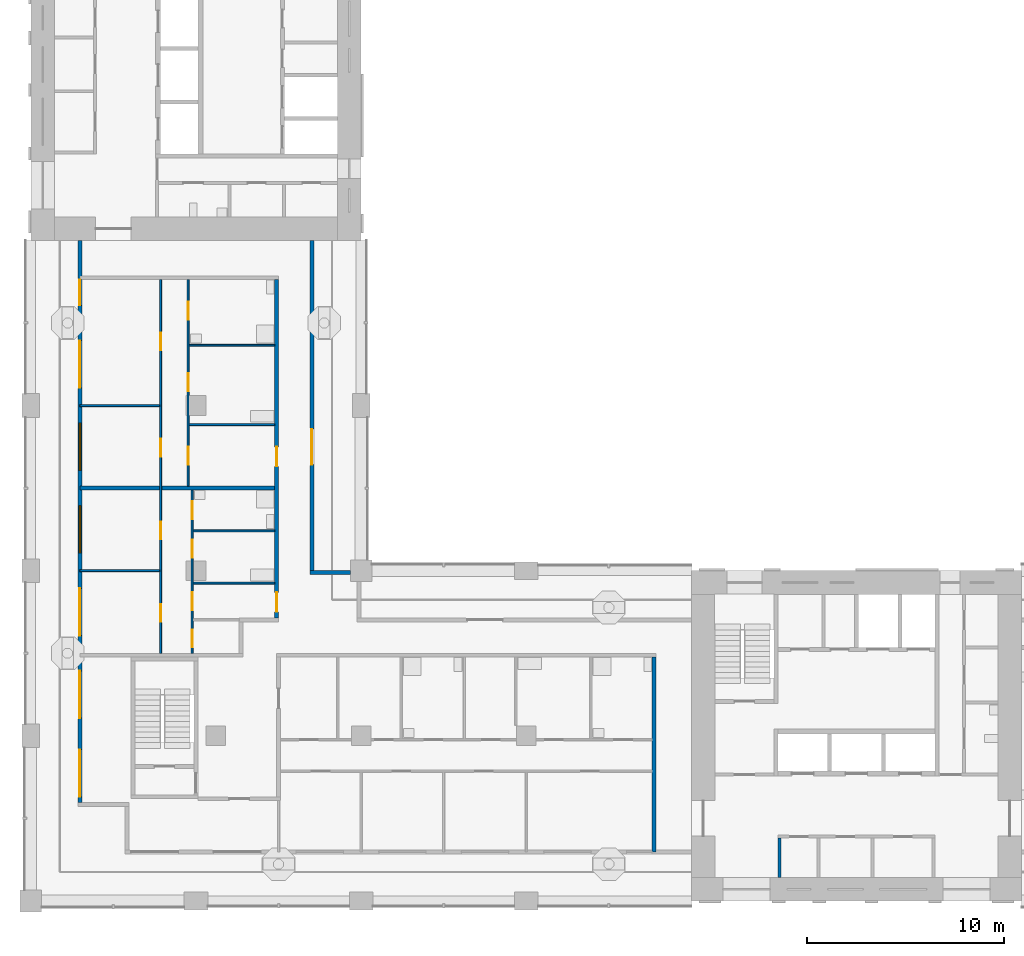
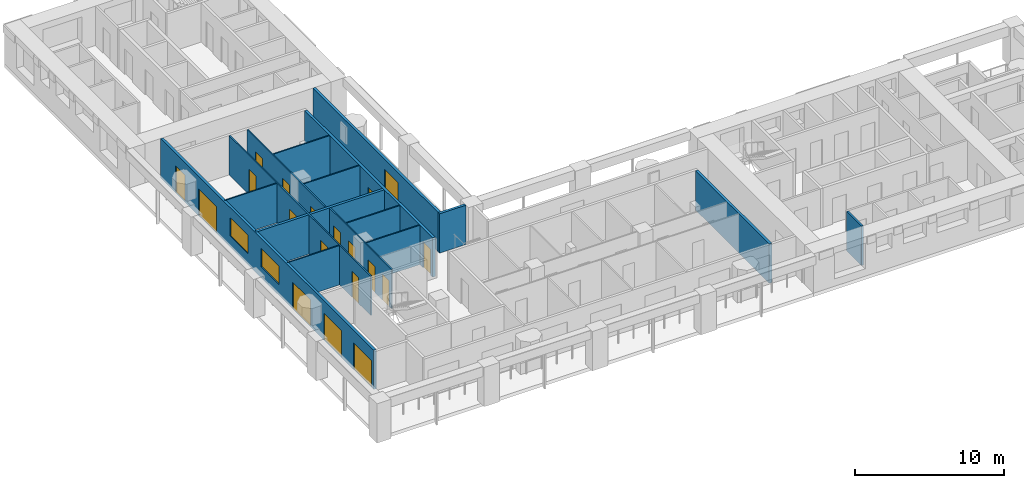
# One storey, part 3 of 13: 19 doors, 16 walls, 2 windows, 21 openings.
"""IFC4 building model written with IfcOpenShell, lengths in metres."""

from ifc_helpers import new_model, si_unit, direction, frame, frame_2d, origin, place, context, subcontext, project, spatial, rectangle, extrude, material, layer, layer_set, type_object, element, fill, save


model = new_model("IFC4")

# Units and contexts
model_context = context("Model", 3, precision=1e-05, world=origin(), true_north=direction((0.0, 1.0)))
body_context = subcontext(model_context, "Body", "Model", "MODEL_VIEW")
ifc_project = project(units=[si_unit("LENGTHUNIT", "METRE"), si_unit("AREAUNIT", "SQUARE_METRE"), si_unit("VOLUMEUNIT", "CUBIC_METRE"), si_unit("PLANEANGLEUNIT", "RADIAN"), si_unit("MASSUNIT", "GRAM", prefix="KILO")], contexts=[model_context])

# Site, building, storey
site_placement = place(None, origin())
site = spatial("IfcSite", under=ifc_project, at=site_placement, CompositionType="ELEMENT")
building_placement = place(site_placement, origin())
building = spatial("IfcBuilding", under=site, at=building_placement, Name="Vermilion Gate Residences", CompositionType="ELEMENT")
storey_placement = place(building_placement, frame((0.0, 0.0, 151.199951171875)))
storey = spatial("IfcBuildingStorey", under=building, at=storey_placement, Name="L38", CompositionType="ELEMENT", Elevation=151.199951171875)

# Wall
ifc_material_1 = material(Name="Masonry blockwork", Category="masonry")
ifc_layer_1 = layer(ifc_material_1, 0.14990234375)
ifc_layer_set_1 = layer_set([ifc_layer_1], Name="BLOCKWORK PARTITION 150 EI 120")
wall_type_1 = type_object("IfcWallType", Name="BLOCKWORK PARTITION 150 EI 120", PredefinedType="PARTITIONING", material=ifc_layer_set_1)
wall_1_placement = place(storey_placement, frame((46.47509765625, 9.60009765625, 0.0), z_axis=(0.0, 0.0, 1.0), x_axis=(0.0, 1.0, 0.0)))
element("IfcWall", 1, at=wall_1_placement, inside=storey, type_object=wall_type_1, Name="Core room partition A38-RW-W", PredefinedType="PARTITIONING", context=body_context, shape_type="SweptSolid", body=[
    extrude(rectangle(XDim=2.0, YDim=0.14990234375, at=frame_2d((1.0, 0.0))), origin(), (0.0, 0.0, 1.0), 3.219970703125),
])

# Wall, openings, doors, windows
ifc_material_2 = material(Name="Insulated steel stud wall with terracotta rainscreen", Category="masonry")
ifc_layer_2 = layer(ifc_material_2, 0.199951171875)
ifc_layer_set_2 = layer_set([ifc_layer_2], Name="EXTERNAL WALL 200 TERRACOTTA RAINSCREEN")
wall_type_2 = type_object("IfcWallType", Name="EXTERNAL WALL 200 TERRACOTTA RAINSCREEN", PredefinedType="SOLIDWALL", material=ifc_layer_set_2)
wall_2_placement = place(storey_placement, frame((10.89990234375, 42.0, 0.0), z_axis=(0.0, 0.0, 1.0), x_axis=(0.0, -1.0, 0.0)))
wall_2 = element("IfcWall", 2, at=wall_2_placement, inside=storey, type_object=wall_type_2, Name="External wall", PredefinedType="SOLIDWALL", context=body_context, shape_type="SweptSolid", body=[
    extrude(rectangle(XDim=28.60009765625, YDim=0.199951171875, at=frame_2d((14.300048828125, 0.0))), origin(), (0.0, 0.0, 1.0), 3.219970703125),
])
opening_1_placement = place(wall_2_placement, frame((25.89990234375, 0.0, 0.0)))
opening_1 = element("IfcOpeningElement", 3, at=opening_1_placement, cuts=wall_2, Name="Opening DE38001", PredefinedType="OPENING", context=body_context, shape_type="SweptSolid", body=[
    extrude(rectangle(XDim=2.39990234375, YDim=2.199951171875, at=frame_2d((1.199951171875, 1.10009765625))), frame((0.0, 0.10986328125, 0.0), z_axis=(0.0, -1.0, 0.0), x_axis=(1.0, 0.0, 0.0)), (0.0, 0.0, 1.0), 0.219970703125),
])
opening_2_placement = place(wall_2_placement, frame((21.89990234375, 0.0, 0.0)))
opening_2 = element("IfcOpeningElement", 4, at=opening_2_placement, cuts=wall_2, Name="Opening DE38002", PredefinedType="OPENING", context=body_context, shape_type="SweptSolid", body=[
    extrude(rectangle(XDim=2.39990234375, YDim=2.199951171875, at=frame_2d((1.199951171875, 1.10009765625))), frame((0.0, 0.10986328125, 0.0), z_axis=(0.0, -1.0, 0.0), x_axis=(1.0, 0.0, 0.0)), (0.0, 0.0, 1.0), 0.219970703125),
])
opening_3_placement = place(wall_2_placement, frame((17.699951171875, 0.0, 0.0)))
opening_3 = element("IfcOpeningElement", 5, at=opening_3_placement, cuts=wall_2, Name="Opening DE38003", PredefinedType="OPENING", context=body_context, shape_type="SweptSolid", body=[
    extrude(rectangle(XDim=2.39990234375, YDim=2.199951171875, at=frame_2d((1.199951171875, 1.10009765625))), frame((0.0, 0.10986328125, 0.0), z_axis=(0.0, -1.0, 0.0), x_axis=(1.0, 0.0, 0.0)), (0.0, 0.0, 1.0), 0.219970703125),
])
opening_4_placement = place(wall_2_placement, frame((13.5, 0.0, 0.89990234375)))
opening_4 = element("IfcOpeningElement", 6, at=opening_4_placement, cuts=wall_2, Name="Opening WE38004", PredefinedType="OPENING", context=body_context, shape_type="SweptSolid", body=[
    extrude(rectangle(XDim=2.39990234375, YDim=1.5, at=frame_2d((1.199951171875, 0.75))), frame((0.0, 0.10986328125, 0.0), z_axis=(0.0, -1.0, 0.0), x_axis=(1.0, 0.0, 0.0)), (0.0, 0.0, 1.0), 0.219970703125),
])
opening_5_placement = place(wall_2_placement, frame((9.300048828125, 0.0, 0.89990234375)))
opening_5 = element("IfcOpeningElement", 7, at=opening_5_placement, cuts=wall_2, Name="Opening WE38005", PredefinedType="OPENING", context=body_context, shape_type="SweptSolid", body=[
    extrude(rectangle(XDim=2.39990234375, YDim=1.5, at=frame_2d((1.199951171875, 0.75))), frame((0.0, 0.10986328125, 0.0), z_axis=(0.0, -1.0, 0.0), x_axis=(1.0, 0.0, 0.0)), (0.0, 0.0, 1.0), 0.219970703125),
])
opening_6_placement = place(wall_2_placement, frame((5.10009765625, 0.0, 0.0)))
opening_6 = element("IfcOpeningElement", 8, at=opening_6_placement, cuts=wall_2, Name="Opening DE38006", PredefinedType="OPENING", context=body_context, shape_type="SweptSolid", body=[
    extrude(rectangle(XDim=2.39990234375, YDim=2.199951171875, at=frame_2d((1.199951171875, 1.10009765625))), frame((0.0, 0.10986328125, 0.0), z_axis=(0.0, -1.0, 0.0), x_axis=(1.0, 0.0, 0.0)), (0.0, 0.0, 1.0), 0.219970703125),
])
opening_7_placement = place(wall_2_placement, frame((2.0, 0.0, 0.0)))
opening_7 = element("IfcOpeningElement", 9, at=opening_7_placement, cuts=wall_2, Name="Opening DE38007", PredefinedType="OPENING", context=body_context, shape_type="SweptSolid", body=[
    extrude(rectangle(XDim=1.300048828125, YDim=2.199951171875, at=frame_2d((0.64990234375, 1.10009765625))), frame((0.0, 0.10986328125, 0.0), z_axis=(0.0, -1.0, 0.0), x_axis=(1.0, 0.0, 0.0)), (0.0, 0.0, 1.0), 0.219970703125),
])
ifc_material_3 = material(Name="Aluminium and clear glass", Category="aluminium")
door_type_1 = type_object("IfcDoorType", Name="SLIDING GLAZED DOOR 1300 X 2200", OperationType="DOUBLE_DOOR_SLIDING", PredefinedType="DOOR", material=ifc_material_3)
door_1_placement = place(opening_7_placement, origin())
door_1 = element("IfcDoor", 10, at=door_1_placement, inside=storey, type_object=door_type_1, Name="Loggia sliding door", OperationType="DOUBLE_DOOR_SLIDING", OverallHeight=2.199951171875, OverallWidth=1.300048828125, PredefinedType="DOOR", context=body_context, shape_type="SweptSolid", body=[
    extrude(rectangle(XDim=1.300048828125, YDim=2.199951171875, at=frame_2d((0.64990234375, 1.10009765625))), frame((0.0, 0.02490234375, 0.0), z_axis=(0.0, -1.0, 0.0), x_axis=(1.0, 0.0, 0.0)), (0.0, 0.0, 1.0), 0.050048828125),
])
fill(opening_7, door_1)
ifc_material_4 = material(Name="Aluminium and clear glass", Category="aluminium")
door_type_2 = type_object("IfcDoorType", Name="SLIDING GLAZED DOOR 2400 X 2200", OperationType="DOUBLE_DOOR_SLIDING", PredefinedType="DOOR", material=ifc_material_4)
door_2_placement = place(opening_1_placement, origin())
door_2 = element("IfcDoor", 11, at=door_2_placement, inside=storey, type_object=door_type_2, Name="Loggia sliding door", OperationType="DOUBLE_DOOR_SLIDING", OverallHeight=2.199951171875, OverallWidth=2.39990234375, PredefinedType="DOOR", context=body_context, shape_type="SweptSolid", body=[
    extrude(rectangle(XDim=2.39990234375, YDim=2.199951171875, at=frame_2d((1.199951171875, 1.10009765625))), frame((0.0, 0.02490234375, 0.0), z_axis=(0.0, -1.0, 0.0), x_axis=(1.0, 0.0, 0.0)), (0.0, 0.0, 1.0), 0.050048828125),
])
fill(opening_1, door_2)
door_3_placement = place(opening_2_placement, origin())
door_3 = element("IfcDoor", 12, at=door_3_placement, inside=storey, type_object=door_type_2, Name="Loggia sliding door", OperationType="DOUBLE_DOOR_SLIDING", OverallHeight=2.199951171875, OverallWidth=2.39990234375, PredefinedType="DOOR", context=body_context, shape_type="SweptSolid", body=[
    extrude(rectangle(XDim=2.39990234375, YDim=2.199951171875, at=frame_2d((1.199951171875, 1.10009765625))), frame((0.0, 0.02490234375, 0.0), z_axis=(0.0, -1.0, 0.0), x_axis=(1.0, 0.0, 0.0)), (0.0, 0.0, 1.0), 0.050048828125),
])
fill(opening_2, door_3)
door_4_placement = place(opening_3_placement, origin())
door_4 = element("IfcDoor", 13, at=door_4_placement, inside=storey, type_object=door_type_2, Name="Loggia sliding door", OperationType="DOUBLE_DOOR_SLIDING", OverallHeight=2.199951171875, OverallWidth=2.39990234375, PredefinedType="DOOR", context=body_context, shape_type="SweptSolid", body=[
    extrude(rectangle(XDim=2.39990234375, YDim=2.199951171875, at=frame_2d((1.199951171875, 1.10009765625))), frame((0.0, 0.02490234375, 0.0), z_axis=(0.0, -1.0, 0.0), x_axis=(1.0, 0.0, 0.0)), (0.0, 0.0, 1.0), 0.050048828125),
])
fill(opening_3, door_4)
door_5_placement = place(opening_6_placement, origin())
door_5 = element("IfcDoor", 14, at=door_5_placement, inside=storey, type_object=door_type_2, Name="Loggia sliding door", OperationType="DOUBLE_DOOR_SLIDING", OverallHeight=2.199951171875, OverallWidth=2.39990234375, PredefinedType="DOOR", context=body_context, shape_type="SweptSolid", body=[
    extrude(rectangle(XDim=2.39990234375, YDim=2.199951171875, at=frame_2d((1.199951171875, 1.10009765625))), frame((0.0, 0.02490234375, 0.0), z_axis=(0.0, -1.0, 0.0), x_axis=(1.0, 0.0, 0.0)), (0.0, 0.0, 1.0), 0.050048828125),
])
fill(opening_6, door_5)
ifc_material_5 = material(Name="Aluminium and clear glass", Category="aluminium")
window_type = type_object("IfcWindowType", Name="WINDOW 2400 X 1500", PartitioningType="SINGLE_PANEL", PredefinedType="WINDOW", material=ifc_material_5)
window_1_placement = place(opening_4_placement, origin())
window_1 = element("IfcWindow", 15, at=window_1_placement, inside=storey, type_object=window_type, Name="Window", OverallHeight=1.5, OverallWidth=2.39990234375, PartitioningType="SINGLE_PANEL", PredefinedType="WINDOW", context=body_context, shape_type="SweptSolid", body=[
    extrude(rectangle(XDim=2.39990234375, YDim=1.5, at=frame_2d((1.199951171875, 0.75))), frame((0.0, 0.030029296875, 0.0), z_axis=(0.0, -1.0, 0.0), x_axis=(1.0, 0.0, 0.0)), (0.0, 0.0, 1.0), 0.06005859375),
])
fill(opening_4, window_1)
window_2_placement = place(opening_5_placement, origin())
window_2 = element("IfcWindow", 16, at=window_2_placement, inside=storey, type_object=window_type, Name="Window", OverallHeight=1.5, OverallWidth=2.39990234375, PartitioningType="SINGLE_PANEL", PredefinedType="WINDOW", context=body_context, shape_type="SweptSolid", body=[
    extrude(rectangle(XDim=2.39990234375, YDim=1.5, at=frame_2d((1.199951171875, 0.75))), frame((0.0, 0.030029296875, 0.0), z_axis=(0.0, -1.0, 0.0), x_axis=(1.0, 0.0, 0.0)), (0.0, 0.0, 1.0), 0.06005859375),
])
fill(opening_5, window_2)

# Wall
wall_3_placement = place(storey_placement, frame((24.64990234375, 25.10009765625, 0.0), z_axis=(0.0, 0.0, 1.0), x_axis=(-1.0, 0.0, 0.0)))
element("IfcWall", 17, at=wall_3_placement, inside=storey, type_object=wall_type_2, Name="External wall", PredefinedType="SOLIDWALL", context=body_context, shape_type="SweptSolid", body=[
    extrude(rectangle(XDim=2.0498046875, YDim=0.199951171875, at=frame_2d((1.02490234375, 0.0))), origin(), (0.0, 0.0, 1.0), 3.219970703125),
])

# Wall, opening, door
wall_4_placement = place(storey_placement, frame((22.699951171875, 25.199951171875, 0.0), z_axis=(0.0, 0.0, 1.0), x_axis=(0.0, 1.0, 0.0)))
wall_4 = element("IfcWall", 18, at=wall_4_placement, inside=storey, type_object=wall_type_2, Name="External wall", PredefinedType="SOLIDWALL", context=body_context, shape_type="SweptSolid", body=[
    extrude(rectangle(XDim=16.800048828125, YDim=0.199951171875, at=frame_2d((8.39990234375, 0.0))), origin(), (0.0, 0.0, 1.0), 3.219970703125),
])
opening_8_placement = place(wall_4_placement, frame((5.39990234375, 0.0, 0.0)))
opening_8 = element("IfcOpeningElement", 19, at=opening_8_placement, cuts=wall_4, Name="Opening DE38021", PredefinedType="OPENING", context=body_context, shape_type="SweptSolid", body=[
    extrude(rectangle(XDim=1.800048828125, YDim=2.39990234375, at=frame_2d((0.89990234375, 1.199951171875))), frame((0.0, 0.10986328125, 0.0), z_axis=(0.0, -1.0, 0.0), x_axis=(1.0, 0.0, 0.0)), (0.0, 0.0, 1.0), 0.219970703125),
])
ifc_material_6 = material(Name="Aluminium and clear glass", Category="aluminium")
door_type_3 = type_object("IfcDoorType", Name="GLAZED EXTERNAL DOOR 1800 X 2400", OperationType="DOUBLE_DOOR_SINGLE_SWING", PredefinedType="DOOR", material=ifc_material_6)
door_6_placement = place(opening_8_placement, frame((1.800048828125, 0.0, 0.0), z_axis=(0.0, 0.0, 1.0), x_axis=(-1.0, 0.0, 0.0)))
door_6 = element("IfcDoor", 20, at=door_6_placement, inside=storey, type_object=door_type_3, Name="Gallery door", OperationType="DOUBLE_DOOR_SINGLE_SWING", OverallHeight=2.39990234375, OverallWidth=1.800048828125, PredefinedType="DOOR", context=body_context, shape_type="SweptSolid", body=[
    extrude(rectangle(XDim=1.800048828125, YDim=2.39990234375, at=frame_2d((0.89990234375, 1.199951171875))), frame((0.0, 0.02490234375, 0.0), z_axis=(0.0, -1.0, 0.0), x_axis=(1.0, 0.0, 0.0)), (0.0, 0.0, 1.0), 0.050048828125),
])
fill(opening_8, door_6)

# Walls
ifc_material_7 = material(Name="Plasterboard on steel studs", Category="steel")
ifc_layer_3 = layer(ifc_material_7, 0.10009765625)
ifc_layer_set_3 = layer_set([ifc_layer_3], Name="PARTITION 100")
wall_type_3 = type_object("IfcWallType", Name="PARTITION 100", PredefinedType="PARTITIONING", material=ifc_layer_set_3)
wall_5_placement = place(storey_placement, frame((16.64990234375, 24.56298828125, 0.0), z_axis=(0.0, 0.0, 1.0), x_axis=(1.0, 0.0, 0.0)))
element("IfcWall", 21, at=wall_5_placement, inside=storey, type_object=wall_type_3, Name="Partition", PredefinedType="PARTITIONING", context=body_context, shape_type="SweptSolid", body=[
    extrude(rectangle(XDim=4.150146484375, YDim=0.10009765625, at=frame_2d((2.0751953125, 0.0))), origin(), (0.0, 0.0, 1.0), 3.219970703125),
])
wall_6_placement = place(storey_placement, frame((10.89990234375, 25.199951171875, 0.0), z_axis=(0.0, 0.0, 1.0), x_axis=(1.0, 0.0, 0.0)))
element("IfcWall", 22, at=wall_6_placement, inside=storey, type_object=wall_type_3, Name="Partition", PredefinedType="PARTITIONING", context=body_context, shape_type="SweptSolid", body=[
    extrude(rectangle(XDim=4.050048828125, YDim=0.10009765625, at=frame_2d((2.02490234375, 0.0))), origin(), (0.0, 0.0, 1.0), 3.219970703125),
])
wall_7_placement = place(storey_placement, frame((16.64990234375, 27.22509765625, 0.0), z_axis=(0.0, 0.0, 1.0), x_axis=(1.0, 0.0, 0.0)))
element("IfcWall", 23, at=wall_7_placement, inside=storey, type_object=wall_type_3, Name="Partition", PredefinedType="PARTITIONING", context=body_context, shape_type="SweptSolid", body=[
    extrude(rectangle(XDim=4.150146484375, YDim=0.10009765625, at=frame_2d((2.0751953125, 0.0))), origin(), (0.0, 0.0, 1.0), 3.219970703125),
])
wall_8_placement = place(storey_placement, frame((16.449951171875, 32.633056640625, 0.0), z_axis=(0.0, 0.0, 1.0), x_axis=(1.0, 0.0, 0.0)))
element("IfcWall", 24, at=wall_8_placement, inside=storey, type_object=wall_type_3, Name="Partition", PredefinedType="PARTITIONING", context=body_context, shape_type="SweptSolid", body=[
    extrude(rectangle(XDim=4.35009765625, YDim=0.10009765625, at=frame_2d((2.175048828125, 0.0))), origin(), (0.0, 0.0, 1.0), 3.219970703125),
])
wall_9_placement = place(storey_placement, frame((10.89990234375, 33.60009765625, 0.0), z_axis=(0.0, 0.0, 1.0), x_axis=(1.0, 0.0, 0.0)))
element("IfcWall", 25, at=wall_9_placement, inside=storey, type_object=wall_type_3, Name="Partition", PredefinedType="PARTITIONING", context=body_context, shape_type="SweptSolid", body=[
    extrude(rectangle(XDim=4.050048828125, YDim=0.10009765625, at=frame_2d((2.02490234375, 0.0))), origin(), (0.0, 0.0, 1.0), 3.219970703125),
])
wall_10_placement = place(storey_placement, frame((16.449951171875, 36.6669921875, 0.0), z_axis=(0.0, 0.0, 1.0), x_axis=(1.0, 0.0, 0.0)))
element("IfcWall", 26, at=wall_10_placement, inside=storey, type_object=wall_type_3, Name="Partition", PredefinedType="PARTITIONING", context=body_context, shape_type="SweptSolid", body=[
    extrude(rectangle(XDim=4.35009765625, YDim=0.10009765625, at=frame_2d((2.175048828125, 0.0))), origin(), (0.0, 0.0, 1.0), 3.219970703125),
])

# Wall, openings, doors
wall_11_placement = place(storey_placement, frame((15.0, 21.0, 0.0), z_axis=(0.0, 0.0, 1.0), x_axis=(0.0, 1.0, 0.0)))
wall_11 = element("IfcWall", 27, at=wall_11_placement, inside=storey, type_object=wall_type_3, Name="Partition", PredefinedType="PARTITIONING", context=body_context, shape_type="SweptSolid", body=[
    extrude(rectangle(XDim=19.0, YDim=0.10009765625, at=frame_2d((9.5, 0.0))), origin(), (0.0, 0.0, 1.0), 3.219970703125),
])
opening_9_placement = place(wall_11_placement, frame((1.60009765625, 0.0, 0.0)))
opening_9 = element("IfcOpeningElement", 28, at=opening_9_placement, cuts=wall_11, Name="Opening DA37012", PredefinedType="OPENING", context=body_context, shape_type="SweptSolid", body=[
    extrude(rectangle(XDim=0.89990234375, YDim=2.10009765625, at=frame_2d((0.449951171875, 1.050048828125))), frame((0.0, 0.06005859375, 0.0), z_axis=(0.0, -1.0, 0.0), x_axis=(1.0, 0.0, 0.0)), (0.0, 0.0, 1.0), 0.1201171875),
])
opening_10_placement = place(wall_11_placement, frame((5.800048828125, 0.0, 0.0)))
opening_10 = element("IfcOpeningElement", 29, at=opening_10_placement, cuts=wall_11, Name="Opening DA37013", PredefinedType="OPENING", context=body_context, shape_type="SweptSolid", body=[
    extrude(rectangle(XDim=0.89990234375, YDim=2.10009765625, at=frame_2d((0.449951171875, 1.050048828125))), frame((0.0, 0.06005859375, 0.0), z_axis=(0.0, -1.0, 0.0), x_axis=(1.0, 0.0, 0.0)), (0.0, 0.0, 1.0), 0.1201171875),
])
opening_11_placement = place(wall_11_placement, frame((10.0, 0.0, 0.0)))
opening_11 = element("IfcOpeningElement", 30, at=opening_11_placement, cuts=wall_11, Name="Opening DA37014", PredefinedType="OPENING", context=body_context, shape_type="SweptSolid", body=[
    extrude(rectangle(XDim=0.89990234375, YDim=2.10009765625, at=frame_2d((0.449951171875, 1.050048828125))), frame((0.0, 0.06005859375, 0.0), z_axis=(0.0, -1.0, 0.0), x_axis=(1.0, 0.0, 0.0)), (0.0, 0.0, 1.0), 0.1201171875),
])
opening_12_placement = place(wall_11_placement, frame((15.39990234375, 0.0, 0.0)))
opening_12 = element("IfcOpeningElement", 31, at=opening_12_placement, cuts=wall_11, Name="Opening DA37015", PredefinedType="OPENING", context=body_context, shape_type="SweptSolid", body=[
    extrude(rectangle(XDim=0.89990234375, YDim=2.10009765625, at=frame_2d((0.449951171875, 1.050048828125))), frame((0.0, 0.06005859375, 0.0), z_axis=(0.0, -1.0, 0.0), x_axis=(1.0, 0.0, 0.0)), (0.0, 0.0, 1.0), 0.1201171875),
])
ifc_material_8 = material(Name="Timber", Category="wood")
door_type_4 = type_object("IfcDoorType", Name="INTERIOR DOOR 900 X 2100", OperationType="SINGLE_SWING_LEFT", PredefinedType="DOOR", material=ifc_material_8)
door_7_placement = place(opening_9_placement, origin())
door_7 = element("IfcDoor", 32, at=door_7_placement, inside=storey, type_object=door_type_4, Name="Interior door", OperationType="SINGLE_SWING_LEFT", OverallHeight=2.10009765625, OverallWidth=0.89990234375, PredefinedType="DOOR", context=body_context, shape_type="SweptSolid", body=[
    extrude(rectangle(XDim=0.89990234375, YDim=2.10009765625, at=frame_2d((0.449951171875, 1.050048828125))), frame((0.0, 0.02490234375, 0.0), z_axis=(0.0, -1.0, 0.0), x_axis=(1.0, 0.0, 0.0)), (0.0, 0.0, 1.0), 0.050048828125),
])
fill(opening_9, door_7)
door_8_placement = place(opening_10_placement, origin())
door_8 = element("IfcDoor", 33, at=door_8_placement, inside=storey, type_object=door_type_4, Name="Interior door", OperationType="SINGLE_SWING_LEFT", OverallHeight=2.10009765625, OverallWidth=0.89990234375, PredefinedType="DOOR", context=body_context, shape_type="SweptSolid", body=[
    extrude(rectangle(XDim=0.89990234375, YDim=2.10009765625, at=frame_2d((0.449951171875, 1.050048828125))), frame((0.0, 0.02490234375, 0.0), z_axis=(0.0, -1.0, 0.0), x_axis=(1.0, 0.0, 0.0)), (0.0, 0.0, 1.0), 0.050048828125),
])
fill(opening_10, door_8)
door_9_placement = place(opening_11_placement, origin())
door_9 = element("IfcDoor", 34, at=door_9_placement, inside=storey, type_object=door_type_4, Name="Interior door", OperationType="SINGLE_SWING_LEFT", OverallHeight=2.10009765625, OverallWidth=0.89990234375, PredefinedType="DOOR", context=body_context, shape_type="SweptSolid", body=[
    extrude(rectangle(XDim=0.89990234375, YDim=2.10009765625, at=frame_2d((0.449951171875, 1.050048828125))), frame((0.0, 0.02490234375, 0.0), z_axis=(0.0, -1.0, 0.0), x_axis=(1.0, 0.0, 0.0)), (0.0, 0.0, 1.0), 0.050048828125),
])
fill(opening_11, door_9)
door_10_placement = place(opening_12_placement, origin())
door_10 = element("IfcDoor", 35, at=door_10_placement, inside=storey, type_object=door_type_4, Name="Interior door", OperationType="SINGLE_SWING_RIGHT", OverallHeight=2.10009765625, OverallWidth=0.89990234375, PredefinedType="DOOR", context=body_context, shape_type="SweptSolid", body=[
    extrude(rectangle(XDim=0.89990234375, YDim=2.10009765625, at=frame_2d((0.449951171875, 1.050048828125))), frame((0.0, 0.02490234375, 0.0), z_axis=(0.0, -1.0, 0.0), x_axis=(1.0, 0.0, 0.0)), (0.0, 0.0, 1.0), 0.050048828125),
])
fill(opening_12, door_10)

wall_12_placement = place(storey_placement, frame((16.39990234375, 29.5, 0.0), z_axis=(0.0, 0.0, 1.0), x_axis=(0.0, 1.0, 0.0)))
wall_12 = element("IfcWall", 36, at=wall_12_placement, inside=storey, type_object=wall_type_3, Name="Partition", PredefinedType="PARTITIONING", context=body_context, shape_type="SweptSolid", body=[
    extrude(rectangle(XDim=10.5, YDim=0.10009765625, at=frame_2d((5.25, 0.0))), origin(), (0.0, 0.0, 1.0), 3.219970703125),
])
opening_13_placement = place(wall_12_placement, frame((1.10009765625, 0.0, 0.0)))
opening_13 = element("IfcOpeningElement", 37, at=opening_13_placement, cuts=wall_12, Name="Opening DA37016", PredefinedType="OPENING", context=body_context, shape_type="SweptSolid", body=[
    extrude(rectangle(XDim=0.89990234375, YDim=2.10009765625, at=frame_2d((0.449951171875, 1.050048828125))), frame((0.0, 0.06005859375, 0.0), z_axis=(0.0, -1.0, 0.0), x_axis=(1.0, 0.0, 0.0)), (0.0, 0.0, 1.0), 0.1201171875),
])
opening_14_placement = place(wall_12_placement, frame((4.8330078125, 0.0, 0.0)))
opening_14 = element("IfcOpeningElement", 38, at=opening_14_placement, cuts=wall_12, Name="Opening DA37017", PredefinedType="OPENING", context=body_context, shape_type="SweptSolid", body=[
    extrude(rectangle(XDim=0.89990234375, YDim=2.10009765625, at=frame_2d((0.449951171875, 1.050048828125))), frame((0.0, 0.06005859375, 0.0), z_axis=(0.0, -1.0, 0.0), x_axis=(1.0, 0.0, 0.0)), (0.0, 0.0, 1.0), 0.1201171875),
])
opening_15_placement = place(wall_12_placement, frame((8.467041015625, 0.0, 0.0)))
opening_15 = element("IfcOpeningElement", 39, at=opening_15_placement, cuts=wall_12, Name="Opening DA37018", PredefinedType="OPENING", context=body_context, shape_type="SweptSolid", body=[
    extrude(rectangle(XDim=0.89990234375, YDim=2.10009765625, at=frame_2d((0.449951171875, 1.050048828125))), frame((0.0, 0.06005859375, 0.0), z_axis=(0.0, -1.0, 0.0), x_axis=(1.0, 0.0, 0.0)), (0.0, 0.0, 1.0), 0.1201171875),
])
door_11_placement = place(opening_13_placement, frame((0.89990234375, 0.0, 0.0), z_axis=(0.0, 0.0, 1.0), x_axis=(-1.0, 0.0, 0.0)))
door_11 = element("IfcDoor", 40, at=door_11_placement, inside=storey, type_object=door_type_4, Name="Interior door", OperationType="SINGLE_SWING_LEFT", OverallHeight=2.10009765625, OverallWidth=0.89990234375, PredefinedType="DOOR", context=body_context, shape_type="SweptSolid", body=[
    extrude(rectangle(XDim=0.89990234375, YDim=2.10009765625, at=frame_2d((0.449951171875, 1.050048828125))), frame((0.0, 0.02490234375, 0.0), z_axis=(0.0, -1.0, 0.0), x_axis=(1.0, 0.0, 0.0)), (0.0, 0.0, 1.0), 0.050048828125),
])
fill(opening_13, door_11)
door_12_placement = place(opening_14_placement, frame((0.89990234375, 0.0, 0.0), z_axis=(0.0, 0.0, 1.0), x_axis=(-1.0, 0.0, 0.0)))
door_12 = element("IfcDoor", 41, at=door_12_placement, inside=storey, type_object=door_type_4, Name="Interior door", OperationType="SINGLE_SWING_RIGHT", OverallHeight=2.10009765625, OverallWidth=0.89990234375, PredefinedType="DOOR", context=body_context, shape_type="SweptSolid", body=[
    extrude(rectangle(XDim=0.89990234375, YDim=2.10009765625, at=frame_2d((0.449951171875, 1.050048828125))), frame((0.0, 0.02490234375, 0.0), z_axis=(0.0, -1.0, 0.0), x_axis=(1.0, 0.0, 0.0)), (0.0, 0.0, 1.0), 0.050048828125),
])
fill(opening_14, door_12)
door_13_placement = place(opening_15_placement, frame((0.89990234375, 0.0, 0.0), z_axis=(0.0, 0.0, 1.0), x_axis=(-1.0, 0.0, 0.0)))
door_13 = element("IfcDoor", 42, at=door_13_placement, inside=storey, type_object=door_type_4, Name="Interior door", OperationType="SINGLE_SWING_RIGHT", OverallHeight=2.10009765625, OverallWidth=0.89990234375, PredefinedType="DOOR", context=body_context, shape_type="SweptSolid", body=[
    extrude(rectangle(XDim=0.89990234375, YDim=2.10009765625, at=frame_2d((0.449951171875, 1.050048828125))), frame((0.0, 0.02490234375, 0.0), z_axis=(0.0, -1.0, 0.0), x_axis=(1.0, 0.0, 0.0)), (0.0, 0.0, 1.0), 0.050048828125),
])
fill(opening_15, door_13)

wall_13_placement = place(storey_placement, frame((16.60009765625, 21.0, 0.0), z_axis=(0.0, 0.0, 1.0), x_axis=(0.0, 1.0, 0.0)))
wall_13 = element("IfcWall", 43, at=wall_13_placement, inside=storey, type_object=wall_type_3, Name="Partition", PredefinedType="PARTITIONING", context=body_context, shape_type="SweptSolid", body=[
    extrude(rectangle(XDim=8.300048828125, YDim=0.10009765625, at=frame_2d((4.14990234375, 0.0))), origin(), (0.0, 0.0, 1.0), 3.219970703125),
])
opening_16_placement = place(wall_13_placement, frame((2.199951171875, 0.0, 0.0)))
opening_16 = element("IfcOpeningElement", 44, at=opening_16_placement, cuts=wall_13, Name="Opening DA37019", PredefinedType="OPENING", context=body_context, shape_type="SweptSolid", body=[
    extrude(rectangle(XDim=0.89990234375, YDim=2.10009765625, at=frame_2d((0.449951171875, 1.050048828125))), frame((0.0, 0.06005859375, 0.0), z_axis=(0.0, -1.0, 0.0), x_axis=(1.0, 0.0, 0.0)), (0.0, 0.0, 1.0), 0.1201171875),
])
opening_17_placement = place(wall_13_placement, frame((0.300048828125, 0.0, 0.0)))
opening_17 = element("IfcOpeningElement", 45, at=opening_17_placement, cuts=wall_13, Name="Opening DA37020", PredefinedType="OPENING", context=body_context, shape_type="SweptSolid", body=[
    extrude(rectangle(XDim=0.89990234375, YDim=2.10009765625, at=frame_2d((0.449951171875, 1.050048828125))), frame((0.0, 0.06005859375, 0.0), z_axis=(0.0, -1.0, 0.0), x_axis=(1.0, 0.0, 0.0)), (0.0, 0.0, 1.0), 0.1201171875),
])
opening_18_placement = place(wall_13_placement, frame((4.863037109375, 0.0, 0.0)))
opening_18 = element("IfcOpeningElement", 46, at=opening_18_placement, cuts=wall_13, Name="Opening DA37021", PredefinedType="OPENING", context=body_context, shape_type="SweptSolid", body=[
    extrude(rectangle(XDim=0.89990234375, YDim=2.10009765625, at=frame_2d((0.449951171875, 1.050048828125))), frame((0.0, 0.06005859375, 0.0), z_axis=(0.0, -1.0, 0.0), x_axis=(1.0, 0.0, 0.0)), (0.0, 0.0, 1.0), 0.1201171875),
])
opening_19_placement = place(wall_13_placement, frame((6.824951171875, 0.0, 0.0)))
opening_19 = element("IfcOpeningElement", 47, at=opening_19_placement, cuts=wall_13, Name="Opening DA37022", PredefinedType="OPENING", context=body_context, shape_type="SweptSolid", body=[
    extrude(rectangle(XDim=0.89990234375, YDim=2.10009765625, at=frame_2d((0.449951171875, 1.050048828125))), frame((0.0, 0.06005859375, 0.0), z_axis=(0.0, -1.0, 0.0), x_axis=(1.0, 0.0, 0.0)), (0.0, 0.0, 1.0), 0.1201171875),
])
door_14_placement = place(opening_16_placement, frame((0.89990234375, 0.0, 0.0), z_axis=(0.0, 0.0, 1.0), x_axis=(-1.0, 0.0, 0.0)))
door_14 = element("IfcDoor", 48, at=door_14_placement, inside=storey, type_object=door_type_4, Name="Interior door", OperationType="SINGLE_SWING_LEFT", OverallHeight=2.10009765625, OverallWidth=0.89990234375, PredefinedType="DOOR", context=body_context, shape_type="SweptSolid", body=[
    extrude(rectangle(XDim=0.89990234375, YDim=2.10009765625, at=frame_2d((0.449951171875, 1.050048828125))), frame((0.0, 0.02490234375, 0.0), z_axis=(0.0, -1.0, 0.0), x_axis=(1.0, 0.0, 0.0)), (0.0, 0.0, 1.0), 0.050048828125),
])
fill(opening_16, door_14)
door_15_placement = place(opening_17_placement, frame((0.89990234375, 0.0, 0.0), z_axis=(0.0, 0.0, 1.0), x_axis=(-1.0, 0.0, 0.0)))
door_15 = element("IfcDoor", 49, at=door_15_placement, inside=storey, type_object=door_type_4, Name="Interior door", OperationType="SINGLE_SWING_RIGHT", OverallHeight=2.10009765625, OverallWidth=0.89990234375, PredefinedType="DOOR", context=body_context, shape_type="SweptSolid", body=[
    extrude(rectangle(XDim=0.89990234375, YDim=2.10009765625, at=frame_2d((0.449951171875, 1.050048828125))), frame((0.0, 0.02490234375, 0.0), z_axis=(0.0, -1.0, 0.0), x_axis=(1.0, 0.0, 0.0)), (0.0, 0.0, 1.0), 0.050048828125),
])
fill(opening_17, door_15)
door_16_placement = place(opening_18_placement, frame((0.89990234375, 0.0, 0.0), z_axis=(0.0, 0.0, 1.0), x_axis=(-1.0, 0.0, 0.0)))
door_16 = element("IfcDoor", 50, at=door_16_placement, inside=storey, type_object=door_type_4, Name="Interior door", OperationType="SINGLE_SWING_RIGHT", OverallHeight=2.10009765625, OverallWidth=0.89990234375, PredefinedType="DOOR", context=body_context, shape_type="SweptSolid", body=[
    extrude(rectangle(XDim=0.89990234375, YDim=2.10009765625, at=frame_2d((0.449951171875, 1.050048828125))), frame((0.0, 0.02490234375, 0.0), z_axis=(0.0, -1.0, 0.0), x_axis=(1.0, 0.0, 0.0)), (0.0, 0.0, 1.0), 0.050048828125),
])
fill(opening_18, door_16)
door_17_placement = place(opening_19_placement, frame((0.89990234375, 0.0, 0.0), z_axis=(0.0, 0.0, 1.0), x_axis=(-1.0, 0.0, 0.0)))
door_17 = element("IfcDoor", 51, at=door_17_placement, inside=storey, type_object=door_type_4, Name="Interior door", OperationType="SINGLE_SWING_LEFT", OverallHeight=2.10009765625, OverallWidth=0.89990234375, PredefinedType="DOOR", context=body_context, shape_type="SweptSolid", body=[
    extrude(rectangle(XDim=0.89990234375, YDim=2.10009765625, at=frame_2d((0.449951171875, 1.050048828125))), frame((0.0, 0.02490234375, 0.0), z_axis=(0.0, -1.0, 0.0), x_axis=(1.0, 0.0, 0.0)), (0.0, 0.0, 1.0), 0.050048828125),
])
fill(opening_19, door_17)

# Wall
ifc_material_9 = material(Name="Fire-rated plasterboard on steel studs", Category="steel")
ifc_layer_4 = layer(ifc_material_9, 0.199951171875)
ifc_layer_set_4 = layer_set([ifc_layer_4], Name="PARTY WALL 200 EI 120")
wall_type_4 = type_object("IfcWallType", Name="PARTY WALL 200 EI 120", PredefinedType="PARTITIONING", material=ifc_layer_set_4)
wall_14_placement = place(storey_placement, frame((10.89990234375, 29.39990234375, 0.0), z_axis=(0.0, 0.0, 1.0), x_axis=(1.0, 0.0, 0.0)))
element("IfcWall", 52, at=wall_14_placement, inside=storey, type_object=wall_type_4, Name="Party and corridor wall", PredefinedType="PARTITIONING", context=body_context, shape_type="SweptSolid", body=[
    extrude(rectangle(XDim=9.900146484375, YDim=0.199951171875, at=frame_2d((4.9501953125, 0.0))), origin(), (0.0, 0.0, 1.0), 3.219970703125),
])

# Wall, openings, doors
wall_15_placement = place(storey_placement, frame((20.89990234375, 22.800048828125, 0.0), z_axis=(0.0, 0.0, 1.0), x_axis=(0.0, 1.0, 0.0)))
wall_15 = element("IfcWall", 53, at=wall_15_placement, inside=storey, type_object=wall_type_4, Name="Party and corridor wall", PredefinedType="PARTITIONING", context=body_context, shape_type="SweptSolid", body=[
    extrude(rectangle(XDim=17.199951171875, YDim=0.199951171875, at=frame_2d((8.60009765625, 0.0))), origin(), (0.0, 0.0, 1.0), 3.219970703125),
])
opening_20_placement = place(wall_15_placement, frame((0.300048828125, 0.0, 0.0)))
opening_20 = element("IfcOpeningElement", 54, at=opening_20_placement, cuts=wall_15, Name="Opening DA37023", PredefinedType="OPENING", context=body_context, shape_type="SweptSolid", body=[
    extrude(rectangle(XDim=1.0, YDim=2.10009765625, at=frame_2d((0.5, 1.050048828125))), frame((0.0, 0.10986328125, 0.0), z_axis=(0.0, -1.0, 0.0), x_axis=(1.0, 0.0, 0.0)), (0.0, 0.0, 1.0), 0.219970703125),
])
opening_21_placement = place(wall_15_placement, frame((7.699951171875, 0.0, 0.0)))
opening_21 = element("IfcOpeningElement", 55, at=opening_21_placement, cuts=wall_15, Name="Opening DA37024", PredefinedType="OPENING", context=body_context, shape_type="SweptSolid", body=[
    extrude(rectangle(XDim=1.0, YDim=2.10009765625, at=frame_2d((0.5, 1.050048828125))), frame((0.0, 0.10986328125, 0.0), z_axis=(0.0, -1.0, 0.0), x_axis=(1.0, 0.0, 0.0)), (0.0, 0.0, 1.0), 0.219970703125),
])
ifc_material_10 = material(Name="Steel", Category="steel")
door_type_5 = type_object("IfcDoorType", Name="ENTRANCE DOOR 1000 X 2100 FD30", OperationType="SINGLE_SWING_LEFT", PredefinedType="DOOR", material=ifc_material_10)
door_18_placement = place(opening_20_placement, origin())
door_18 = element("IfcDoor", 56, at=door_18_placement, inside=storey, type_object=door_type_5, Name="Entrance door", OperationType="SINGLE_SWING_LEFT", OverallHeight=2.10009765625, OverallWidth=1.0, PredefinedType="DOOR", context=body_context, shape_type="SweptSolid", body=[
    extrude(rectangle(XDim=1.0, YDim=2.10009765625, at=frame_2d((0.5, 1.050048828125))), frame((0.0, 0.02490234375, 0.0), z_axis=(0.0, -1.0, 0.0), x_axis=(1.0, 0.0, 0.0)), (0.0, 0.0, 1.0), 0.050048828125),
])
fill(opening_20, door_18)
door_19_placement = place(opening_21_placement, origin())
door_19 = element("IfcDoor", 57, at=door_19_placement, inside=storey, type_object=door_type_5, Name="Entrance door", OperationType="SINGLE_SWING_LEFT", OverallHeight=2.10009765625, OverallWidth=1.0, PredefinedType="DOOR", context=body_context, shape_type="SweptSolid", body=[
    extrude(rectangle(XDim=1.0, YDim=2.10009765625, at=frame_2d((0.5, 1.050048828125))), frame((0.0, 0.02490234375, 0.0), z_axis=(0.0, -1.0, 0.0), x_axis=(1.0, 0.0, 0.0)), (0.0, 0.0, 1.0), 0.050048828125),
])
fill(opening_21, door_19)

# Wall
wall_16_placement = place(storey_placement, frame((40.10009765625, 10.89990234375, 0.0), z_axis=(0.0, 0.0, 1.0), x_axis=(0.0, 1.0, 0.0)))
element("IfcWall", 58, at=wall_16_placement, inside=storey, type_object=wall_type_4, Name="Party and corridor wall", PredefinedType="PARTITIONING", context=body_context, shape_type="SweptSolid", body=[
    extrude(rectangle(XDim=9.900146484375, YDim=0.199951171875, at=frame_2d((4.9501953125, 0.0))), origin(), (0.0, 0.0, 1.0), 3.219970703125),
])

save(model, "model.ifc")
